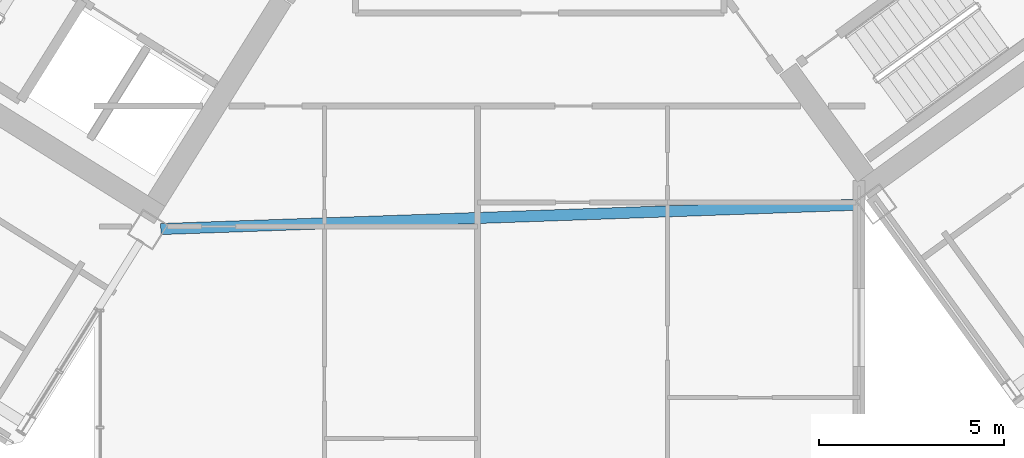
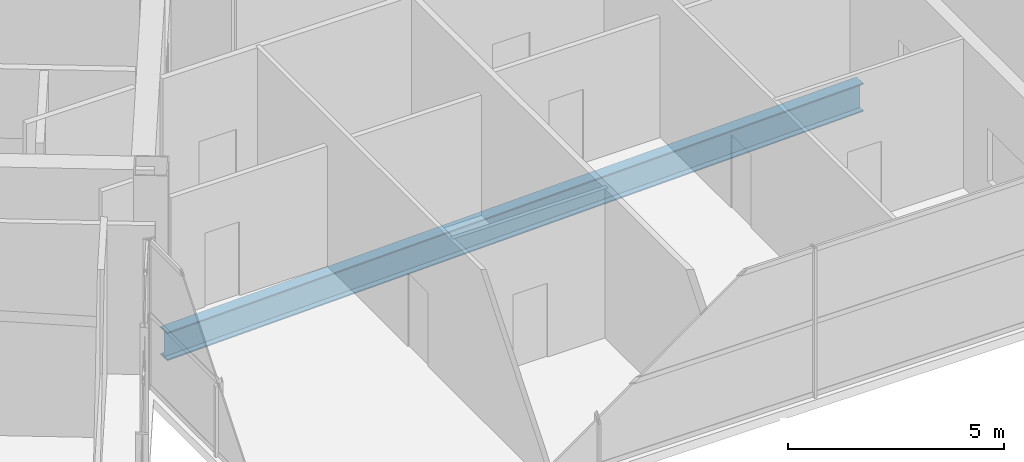
# One storey, part 9 of 34: 1 beam.
"""IFC4 building model written with IfcOpenShell, lengths in metres."""

from ifc_helpers import new_model, si_unit, direction, frame, origin, origin_2d, place, context, subcontext, project, spatial, i_section, extrude, source, transform, mapped, material, material_profile, profile_set, type_object, element, save


model = new_model("IFC4")

# Units and contexts
model_context = context("Model", 3, precision=1e-05, world=origin(), true_north=direction((0.0, 1.0)))
body_context = subcontext(model_context, "Body", "Model", "MODEL_VIEW")
ifc_project = project(units=[si_unit("LENGTHUNIT", "METRE"), si_unit("AREAUNIT", "SQUARE_METRE"), si_unit("VOLUMEUNIT", "CUBIC_METRE"), si_unit("PLANEANGLEUNIT", "RADIAN"), si_unit("MASSUNIT", "GRAM", prefix="KILO")], contexts=[model_context])

# Site, building, storey
site_placement = place(None, origin())
site = spatial("IfcSite", under=ifc_project, at=site_placement, CompositionType="ELEMENT")
building_placement = place(site_placement, origin())
building = spatial("IfcBuilding", under=site, at=building_placement, Name="Tlacorven Tower", CompositionType="ELEMENT")
storey_placement = place(building_placement, frame((0.0, 0.0, 174.89990234375)))
storey = spatial("IfcBuildingStorey", under=building, at=storey_placement, Name="L44", CompositionType="ELEMENT", Elevation=174.89990234375)

# Beam
ifc_material = material(Name="Steel S355J2", Category="steel")
ifc_material_profile = material_profile(ifc_material, i_section(OverallWidth=0.300048828125, OverallDepth=0.800048828125, WebThickness=0.017578125, FlangeThickness=0.032958984375, at=origin_2d()), Name="HEB 800")
ifc_profile_set = profile_set([ifc_material_profile], Name="Steel S355J2")
beam_type = type_object("IfcBeamType", Name="BM-POD-800", PredefinedType="BEAM", material=ifc_profile_set)
shared_shape = source(origin(), body_context, "Body", "SweptSolid", [
    extrude(i_section(OverallWidth=0.300048828125, OverallDepth=0.800048828125, WebThickness=0.017578125, FlangeThickness=0.032958984375, at=origin_2d()), origin(), (0.0, 0.0, 1.0), 18.97119140625),
])
beam_placement = place(storey_placement, frame((33.39599609375, 12.09912109375, -0.64990234375), z_axis=(0.999390787537, 0.034900627304, 0.0), x_axis=(-0.034900627304, 0.999390787537, 0.0)))
element("IfcBeam", 1, at=beam_placement, inside=storey, type_object=beam_type, Name="L44 Knuckle Link Girder 2", PredefinedType="BEAM", context=body_context, shape_type="MappedRepresentation", body=[
    mapped(shared_shape, transform((0.0, 0.0, 0.0), scale=1.0)),
])

save(model, "model.ifc")
